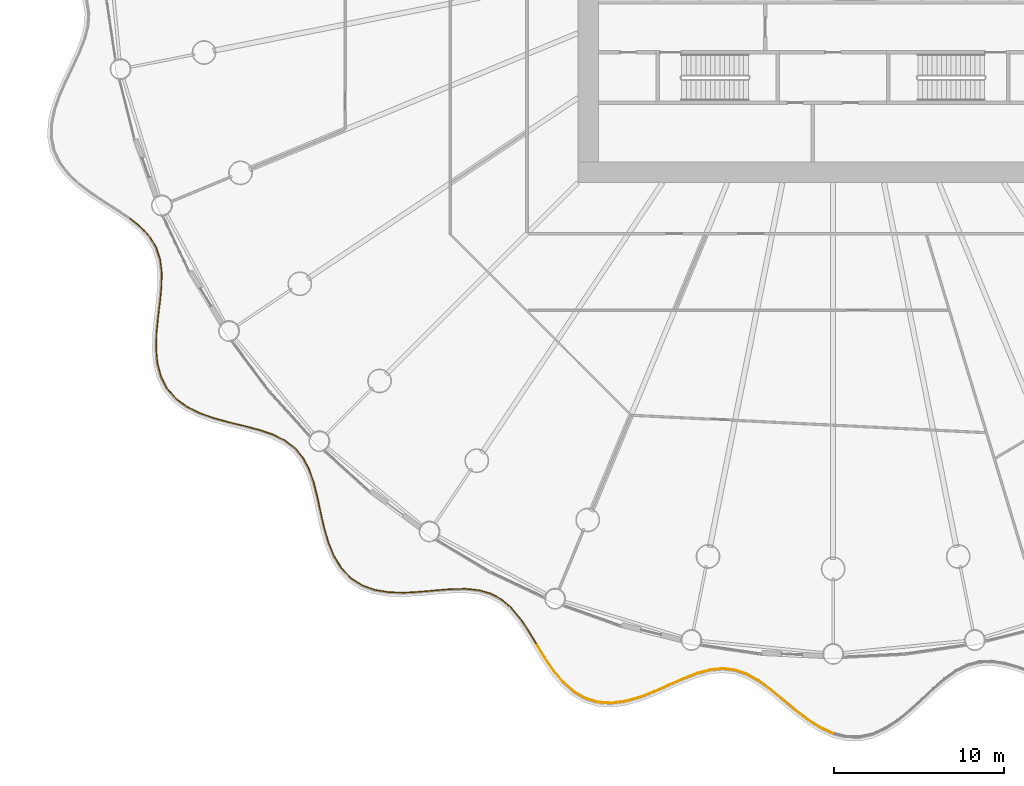
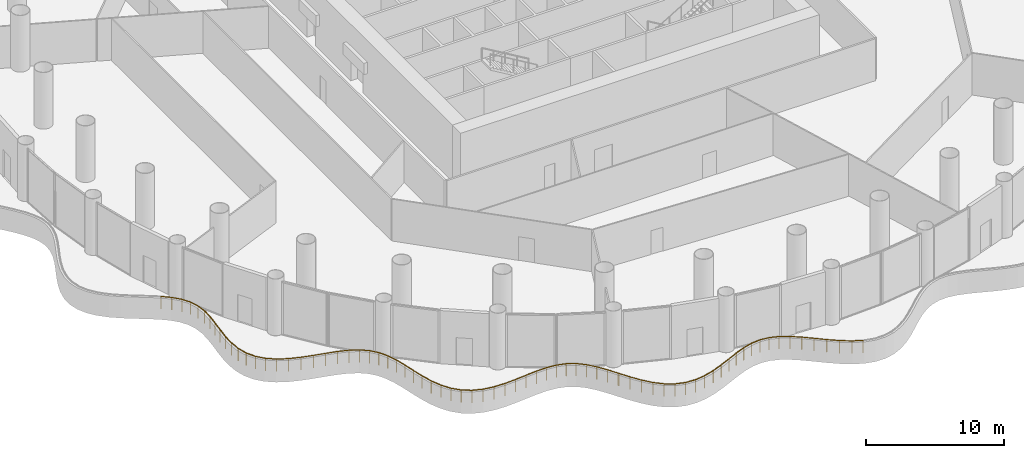
# One storey, part 28 of 35: 3 railings.
"""IFC4 building model written with IfcOpenShell, lengths in metres."""

from ifc_helpers import new_model, si_unit, direction, frame, origin, origin_2d, place, context, subcontext, project, spatial, circle, extrude, material, type_object, element, save


model = new_model("IFC4")

# Units and contexts
model_context = context("Model", 3, precision=1e-05, world=origin(), true_north=direction((0.0, 1.0)))
body_context = subcontext(model_context, "Body", "Model", "MODEL_VIEW")
ifc_project = project(units=[si_unit("LENGTHUNIT", "METRE"), si_unit("AREAUNIT", "SQUARE_METRE"), si_unit("VOLUMEUNIT", "CUBIC_METRE"), si_unit("PLANEANGLEUNIT", "RADIAN"), si_unit("MASSUNIT", "GRAM", prefix="KILO")], contexts=[model_context])

# Site, building, storey
site_placement = place(None, origin())
site = spatial("IfcSite", under=ifc_project, at=site_placement, CompositionType="ELEMENT")
building_placement = place(site_placement, origin())
building = spatial("IfcBuilding", under=site, at=building_placement, Name="Corvane Civic Tower", CompositionType="ELEMENT")
storey_placement = place(building_placement, frame((0.0, 0.0, 27.0)))
storey = spatial("IfcBuildingStorey", under=building, at=storey_placement, Name="L05", CompositionType="ELEMENT", Elevation=27.0)

# Railings
ifc_material = material(Name="Steel ASTM A572 Gr 50", Category="steel")
railing_type = type_object("IfcRailingType", Name="PODIUM-RL-GUARD-1100", PredefinedType="GUARDRAIL", material=ifc_material)
railing_1_placement = place(storey_placement, frame((-41.291259765625, -17.127197265625, 0.0)))
element("IfcRailing", 1, at=railing_1_placement, inside=storey, type_object=railing_type, Name="L05 ribbon guard 6", PredefinedType="GUARDRAIL", context=body_context, shape_type="SweptSolid", body=[
    extrude(circle(Radius=0.02392578125, at=origin_2d()), frame((0.0, 0.0, 1.076171875), z_axis=(0.774868960763, -0.632121897774, 0.0), x_axis=(0.632121897774, 0.774868960763, 0.0)), (0.0, 0.0, 1.0), 0.798828125),
    extrude(circle(Radius=0.02392578125, at=origin_2d()), frame((0.618896484375, -0.5048828125, 1.076171875), z_axis=(0.674550053428, -0.738229114449, 0.0), x_axis=(0.738229114449, 0.674550053428, 0.0)), (0.0, 0.0, 1.0), 0.762939453125),
    extrude(circle(Radius=0.02392578125, at=origin_2d()), frame((1.133544921875, -1.068115234375, 1.076171875), z_axis=(0.514594803967, -0.857433488809, 0.0), x_axis=(0.857433488809, 0.514594803967, 0.0)), (0.0, 0.0, 1.0), 0.724853515625),
    extrude(circle(Radius=0.02392578125, at=origin_2d()), frame((1.506591796875, -1.689697265625, 1.076171875), z_axis=(0.313001886117, -0.949752504228, 0.0), x_axis=(0.949752504228, 0.313001886117, 0.0)), (0.0, 0.0, 1.0), 0.72705078125),
    extrude(circle(Radius=0.02392578125, at=origin_2d()), frame((1.734130859375, -2.380126953125, 1.076171875), z_axis=(0.122901158581, -0.992418916194, 0.0), x_axis=(0.992418916194, 0.122901158581, 0.0)), (0.0, 0.0, 1.0), 0.768798828125),
    extrude(circle(Radius=0.02392578125, at=origin_2d()), frame((1.82861328125, -3.14306640625, 1.076171875), z_axis=(-0.016174354489, -0.999869186572, 0.0), x_axis=(0.999869186572, -0.016174354489, 0.0)), (0.0, 0.0, 1.0), 0.830078125),
    extrude(circle(Radius=0.02392578125, at=origin_2d()), frame((1.815185546875, -3.97314453125, 1.076171875), z_axis=(-0.095288563637, -0.995449692169, 0.0), x_axis=(0.995449692169, -0.095288563637, 0.0)), (0.0, 0.0, 1.0), 0.88916015625),
    extrude(circle(Radius=0.02392578125, at=origin_2d()), frame((1.73046875, -4.858154296875, 1.076171875), z_axis=(-0.120693375254, -0.992689835331, 0.0), x_axis=(0.992689835331, -0.120693375254, 0.0)), (0.0, 0.0, 1.0), 0.926513671875),
    extrude(circle(Radius=0.02392578125, at=origin_2d()), frame((1.61865234375, -5.77783203125, 1.076171875), z_axis=(-0.09883063936, -0.995104268267, 0.0), x_axis=(0.995104268267, -0.09883063936, 0.0)), (0.0, 0.0, 1.0), 0.933837890625),
    extrude(circle(Radius=0.02392578125, at=origin_2d()), frame((1.5263671875, -6.70703125, 1.076171875), z_axis=(-0.030029369603, -0.999549016788, 0.0), x_axis=(0.999549016788, -0.030029369603, 0.0)), (0.0, 0.0, 1.0), 0.91064453125),
    extrude(circle(Radius=0.02392578125, at=origin_2d()), frame((1.4990234375, -7.6171875, 1.076171875), z_axis=(0.087918482012, -0.996127672801, 0.0), x_axis=(0.996127672801, 0.087918482012, 0.0)), (0.0, 0.0, 1.0), 0.866455078125),
    extrude(circle(Radius=0.02392578125, at=origin_2d()), frame((1.5751953125, -8.480224609375, 1.076171875), z_axis=(0.25593360182, -0.966694363002, 0.0), x_axis=(0.966694363002, 0.25593360182, 0.0)), (0.0, 0.0, 1.0), 0.817626953125),
    extrude(circle(Radius=0.02392578125, at=origin_2d()), frame((1.784423828125, -9.2705078125, 1.076171875), z_axis=(0.457770141422, -0.889070580788, 0.0), x_axis=(0.889070580788, 0.457770141422, 0.0)), (0.0, 0.0, 1.0), 0.783935546875),
    extrude(circle(Radius=0.02392578125, at=origin_2d()), frame((2.143310546875, -9.967529296875, 1.076171875), z_axis=(0.65371739994, -0.756738766693, 0.0), x_axis=(0.756738766693, 0.65371739994, 0.0)), (0.0, 0.0, 1.0), 0.781982421875),
    extrude(circle(Radius=0.02392578125, at=origin_2d()), frame((2.654541015625, -10.559326171875, 1.076171875), z_axis=(0.803339019645, -0.59552197232, 0.0), x_axis=(0.59552197232, 0.803339019645, 0.0)), (0.0, 0.0, 1.0), 0.81298828125),
    extrude(circle(Radius=0.02392578125, at=origin_2d()), frame((3.3076171875, -11.04345703125, 1.076171875), z_axis=(0.895163202273, -0.445738534677, 0.0), x_axis=(0.445738534677, 0.895163202273, 0.0)), (0.0, 0.0, 1.0), 0.861083984375),
    extrude(circle(Radius=0.02392578125, at=origin_2d()), frame((4.078369140625, -11.42724609375, 1.076171875), z_axis=(0.943387294832, -0.331693249781, 0.0), x_axis=(0.331693249781, 0.943387294832, 0.0)), (0.0, 0.0, 1.0), 0.90673828125),
    extrude(circle(Radius=0.02392578125, at=origin_2d()), frame((4.933837890625, -11.72802734375, 1.076171875), z_axis=(0.965281385945, -0.261212262249, 0.0), x_axis=(0.261212262249, 0.965281385945, 0.0)), (0.0, 0.0, 1.0), 0.932861328125),
    extrude(circle(Radius=0.02392578125, at=origin_2d()), frame((5.834228515625, -11.9716796875, 1.076171875), z_axis=(0.97192484401, -0.235291516199, 0.0), x_axis=(0.235291516199, 0.97192484401, 0.0)), (0.0, 0.0, 1.0), 0.9287109375),
    extrude(circle(Radius=0.02392578125, at=origin_2d()), frame((6.73681640625, -12.190185546875, 1.076171875), z_axis=(0.966996669681, -0.254789012373, 0.0), x_axis=(0.254789012373, 0.966996669681, 0.0)), (0.0, 0.0, 1.0), 0.89404296875),
    extrude(circle(Radius=0.02392578125, at=origin_2d()), frame((7.601318359375, -12.41796875, 1.076171875), z_axis=(0.945666987633, -0.325136815051, 0.0), x_axis=(0.325136815051, 0.945666987633, 0.0)), (0.0, 0.0, 1.0), 0.837158203125),
    extrude(circle(Radius=0.02392578125, at=origin_2d()), frame((8.39306640625, -12.690185546875, 1.076171875), z_axis=(0.894364132119, -0.447339691039, 0.0), x_axis=(0.447339691039, 0.894364132119, 0.0)), (0.0, 0.0, 1.0), 0.7744140625),
    extrude(circle(Radius=0.02392578125, at=origin_2d()), frame((9.085693359375, -13.03662109375, 1.076171875), z_axis=(0.793654806349, -0.608368349241, 0.0), x_axis=(0.608368349241, 0.793654806349, 0.0)), (0.0, 0.0, 1.0), 0.72998046875),
    extrude(circle(Radius=0.02392578125, at=origin_2d()), frame((9.6650390625, -13.480712890625, 1.076171875), z_axis=(0.640562840792, -0.767905753981, 0.0), x_axis=(0.767905753981, 0.640562840792, 0.0)), (0.0, 0.0, 1.0), 0.69775390625),
    extrude(circle(Radius=0.02099609375, at=origin_2d()), origin(), (0.0, 0.0, 1.0), 1.052001953125),
    extrude(circle(Radius=0.02099609375, at=origin_2d()), frame((0.618896484375, -0.5048828125, 0.0)), (0.0, 0.0, 1.0), 1.052001953125),
    extrude(circle(Radius=0.02099609375, at=origin_2d()), frame((1.133544921875, -1.068115234375, 0.0)), (0.0, 0.0, 1.0), 1.052001953125),
    extrude(circle(Radius=0.02099609375, at=origin_2d()), frame((1.506591796875, -1.689697265625, 0.0)), (0.0, 0.0, 1.0), 1.052001953125),
    extrude(circle(Radius=0.02099609375, at=origin_2d()), frame((1.734130859375, -2.380126953125, 0.0)), (0.0, 0.0, 1.0), 1.052001953125),
    extrude(circle(Radius=0.02099609375, at=origin_2d()), frame((1.82861328125, -3.14306640625, 0.0)), (0.0, 0.0, 1.0), 1.052001953125),
    extrude(circle(Radius=0.02099609375, at=origin_2d()), frame((1.815185546875, -3.97314453125, 0.0)), (0.0, 0.0, 1.0), 1.052001953125),
    extrude(circle(Radius=0.02099609375, at=origin_2d()), frame((1.73046875, -4.858154296875, 0.0)), (0.0, 0.0, 1.0), 1.052001953125),
    extrude(circle(Radius=0.02099609375, at=origin_2d()), frame((1.61865234375, -5.77783203125, 0.0)), (0.0, 0.0, 1.0), 1.052001953125),
    extrude(circle(Radius=0.02099609375, at=origin_2d()), frame((1.5263671875, -6.70703125, 0.0)), (0.0, 0.0, 1.0), 1.052001953125),
    extrude(circle(Radius=0.02099609375, at=origin_2d()), frame((1.4990234375, -7.6171875, 0.0)), (0.0, 0.0, 1.0), 1.052001953125),
    extrude(circle(Radius=0.02099609375, at=origin_2d()), frame((1.5751953125, -8.480224609375, 0.0)), (0.0, 0.0, 1.0), 1.052001953125),
    extrude(circle(Radius=0.02099609375, at=origin_2d()), frame((1.784423828125, -9.2705078125, 0.0)), (0.0, 0.0, 1.0), 1.052001953125),
    extrude(circle(Radius=0.02099609375, at=origin_2d()), frame((2.143310546875, -9.967529296875, 0.0)), (0.0, 0.0, 1.0), 1.052001953125),
    extrude(circle(Radius=0.02099609375, at=origin_2d()), frame((2.654541015625, -10.559326171875, 0.0)), (0.0, 0.0, 1.0), 1.052001953125),
    extrude(circle(Radius=0.02099609375, at=origin_2d()), frame((3.3076171875, -11.04345703125, 0.0)), (0.0, 0.0, 1.0), 1.052001953125),
    extrude(circle(Radius=0.02099609375, at=origin_2d()), frame((4.078369140625, -11.42724609375, 0.0)), (0.0, 0.0, 1.0), 1.052001953125),
    extrude(circle(Radius=0.02099609375, at=origin_2d()), frame((4.933837890625, -11.72802734375, 0.0)), (0.0, 0.0, 1.0), 1.052001953125),
    extrude(circle(Radius=0.02099609375, at=origin_2d()), frame((5.834228515625, -11.9716796875, 0.0)), (0.0, 0.0, 1.0), 1.052001953125),
    extrude(circle(Radius=0.02099609375, at=origin_2d()), frame((6.73681640625, -12.190185546875, 0.0)), (0.0, 0.0, 1.0), 1.052001953125),
    extrude(circle(Radius=0.02099609375, at=origin_2d()), frame((7.601318359375, -12.41796875, 0.0)), (0.0, 0.0, 1.0), 1.052001953125),
    extrude(circle(Radius=0.02099609375, at=origin_2d()), frame((8.39306640625, -12.690185546875, 0.0)), (0.0, 0.0, 1.0), 1.052001953125),
    extrude(circle(Radius=0.02099609375, at=origin_2d()), frame((9.085693359375, -13.03662109375, 0.0)), (0.0, 0.0, 1.0), 1.052001953125),
    extrude(circle(Radius=0.02099609375, at=origin_2d()), frame((9.6650390625, -13.480712890625, 0.0)), (0.0, 0.0, 1.0), 1.052001953125),
    extrude(circle(Radius=0.02099609375, at=origin_2d()), frame((10.112060546875, -14.0166015625, 0.0)), (0.0, 0.0, 1.0), 1.052001953125),
])
railing_2_placement = place(storey_placement, frame((-31.1513671875, -31.18505859375, 0.0)))
element("IfcRailing", 2, at=railing_2_placement, inside=storey, type_object=railing_type, Name="L05 ribbon guard 7", PredefinedType="GUARDRAIL", context=body_context, shape_type="SweptSolid", body=[
    extrude(circle(Radius=0.02392578125, at=origin_2d()), frame((0.0, 0.0, 1.076171875), z_axis=(0.471314690588, -0.88196511407, 0.0), x_axis=(0.88196511407, 0.471314690588, 0.0)), (0.0, 0.0, 1.0), 0.732421875),
    extrude(circle(Radius=0.02392578125, at=origin_2d()), frame((0.34521484375, -0.64599609375, 1.076171875), z_axis=(0.332319844026, -0.94316675157, 0.0), x_axis=(0.94316675157, 0.332319844026, 0.0)), (0.0, 0.0, 1.0), 0.81689453125),
    extrude(circle(Radius=0.02392578125, at=origin_2d()), frame((0.61669921875, -1.41650390625, 1.076171875), z_axis=(0.244694089906, -0.969600331253, 0.0), x_axis=(0.969600331253, 0.244694089906, 0.0)), (0.0, 0.0, 1.0), 0.8779296875),
    extrude(circle(Radius=0.02392578125, at=origin_2d()), frame((0.83154296875, -2.267822265625, 1.076171875), z_axis=(0.20945666103, -0.977817931493, 0.0), x_axis=(0.977817931493, 0.20945666103, 0.0)), (0.0, 0.0, 1.0), 0.9208984375),
    extrude(circle(Radius=0.02392578125, at=origin_2d()), frame((1.0244140625, -3.168212890625, 1.076171875), z_axis=(0.221463071094, -0.975168758801, 0.0), x_axis=(0.975168758801, 0.221463071094, 0.0)), (0.0, 0.0, 1.0), 0.934814453125),
    extrude(circle(Radius=0.02392578125, at=origin_2d()), frame((1.2314453125, -4.079833984375, 1.076171875), z_axis=(0.278232456959, -0.960513768717, 0.0), x_axis=(0.960513768717, 0.278232456959, 0.0)), (0.0, 0.0, 1.0), 0.917724609375),
    extrude(circle(Radius=0.02392578125, at=origin_2d()), frame((1.48681640625, -4.96142578125, 1.076171875), z_axis=(0.379825245493, -0.925058259185, 0.0), x_axis=(0.925058259185, 0.379825245493, 0.0)), (0.0, 0.0, 1.0), 0.876708984375),
    extrude(circle(Radius=0.02392578125, at=origin_2d()), frame((1.81982421875, -5.7724609375, 1.076171875), z_axis=(0.522202059576, -0.852821792038, 0.0), x_axis=(0.852821792038, 0.522202059576, 0.0)), (0.0, 0.0, 1.0), 0.8271484375),
    extrude(circle(Radius=0.02392578125, at=origin_2d()), frame((2.251708984375, -6.477783203125, 1.076171875), z_axis=(0.687177777686, -0.726489299202, 0.0), x_axis=(0.726489299202, 0.687177777686, 0.0)), (0.0, 0.0, 1.0), 0.788818359375),
    extrude(circle(Radius=0.02392578125, at=origin_2d()), frame((2.793701171875, -7.05078125, 1.076171875), z_axis=(0.837928150466, -0.545780555404, 0.0), x_axis=(0.545780555404, 0.837928150466, 0.0)), (0.0, 0.0, 1.0), 0.77978515625),
    extrude(circle(Radius=0.02392578125, at=origin_2d()), frame((3.447021484375, -7.476318359375, 1.076171875), z_axis=(0.939180191042, -0.343424764329, 0.0), x_axis=(0.343424764329, 0.939180191042, 0.0)), (0.0, 0.0, 1.0), 0.803955078125),
    extrude(circle(Radius=0.02392578125, at=origin_2d()), frame((4.2021484375, -7.75244140625, 1.076171875), z_axis=(0.986571775873, -0.163328292253, 0.0), x_axis=(0.163328292253, 0.986571775873, 0.0)), (0.0, 0.0, 1.0), 0.8505859375),
    extrude(circle(Radius=0.02392578125, at=origin_2d()), frame((5.041259765625, -7.891357421875, 1.076171875), z_axis=(0.999577328884, -0.029071697252, 0.0), x_axis=(0.029071697252, 0.999577328884, 0.0)), (0.0, 0.0, 1.0), 0.898681640625),
    extrude(circle(Radius=0.02392578125, at=origin_2d()), frame((5.939453125, -7.91748046875, 1.076171875), z_axis=(0.998506081569, 0.054640690599, 0.0), x_axis=(-0.054640690599, 0.998506081569, 0.0)), (0.0, 0.0, 1.0), 0.929443359375),
    extrude(circle(Radius=0.02392578125, at=origin_2d()), frame((6.867431640625, -7.86669921875, 1.076171875), z_axis=(0.995813388911, 0.09140948783, 0.0), x_axis=(-0.09140948783, 0.995813388911, 0.0)), (0.0, 0.0, 1.0), 0.93212890625),
    extrude(circle(Radius=0.02392578125, at=origin_2d()), frame((7.795654296875, -7.781494140625, 1.076171875), z_axis=(0.996709608451, 0.081055267697, 0.0), x_axis=(-0.081055267697, 0.996709608451, 0.0)), (0.0, 0.0, 1.0), 0.903564453125),
    extrude(circle(Radius=0.02392578125, at=origin_2d()), frame((8.6962890625, -7.708251953125, 1.076171875), z_axis=(0.999797988108, 0.020099327733, 0.0), x_axis=(-0.020099327733, 0.999797988108, 0.0)), (0.0, 0.0, 1.0), 0.850341796875),
    extrude(circle(Radius=0.02392578125, at=origin_2d()), frame((9.54638671875, -7.691162109375, 1.076171875), z_axis=(0.99500027102, -0.099872221717, 0.0), x_axis=(0.099872221717, 0.99500027102, 0.0)), (0.0, 0.0, 1.0), 0.787109375),
    extrude(circle(Radius=0.02392578125, at=origin_2d()), frame((10.32958984375, -7.769775390625, 1.076171875), z_axis=(0.961135284274, -0.276077824759, 0.0), x_axis=(0.276077824759, 0.961135284274, 0.0)), (0.0, 0.0, 1.0), 0.736572265625),
    extrude(circle(Radius=0.02392578125, at=origin_2d()), frame((11.03759765625, -7.97314453125, 1.076171875), z_axis=(0.878593615519, -0.477570161096, 0.0), x_axis=(0.477570161096, 0.878593615519, 0.0)), (0.0, 0.0, 1.0), 0.720703125),
    extrude(circle(Radius=0.02392578125, at=origin_2d()), frame((11.6708984375, -8.3173828125, 1.076171875), z_axis=(0.758495167123, -0.651678664259, 0.0), x_axis=(0.651678664259, 0.758495167123, 0.0)), (0.0, 0.0, 1.0), 0.747314453125),
    extrude(circle(Radius=0.02392578125, at=origin_2d()), frame((12.23779296875, -8.804443359375, 1.076171875), z_axis=(0.641408912395, -0.767199196493, 0.0), x_axis=(0.767199196493, 0.641408912395, 0.0)), (0.0, 0.0, 1.0), 0.803466796875),
    extrude(circle(Radius=0.02392578125, at=origin_2d()), frame((12.753173828125, -9.4208984375, 1.076171875), z_axis=(0.558339046952, -0.829612866733, 0.0), x_axis=(0.829612866733, 0.558339046952, 0.0)), (0.0, 0.0, 1.0), 0.86572265625),
    extrude(circle(Radius=0.02392578125, at=origin_2d()), frame((13.236572265625, -10.13916015625, 1.076171875), z_axis=(0.518326053625, -0.855183081061, 0.0), x_axis=(0.855183081061, 0.518326053625, 0.0)), (0.0, 0.0, 1.0), 0.88916015625),
    extrude(circle(Radius=0.02099609375, at=origin_2d()), origin(), (0.0, 0.0, 1.0), 1.052001953125),
    extrude(circle(Radius=0.02099609375, at=origin_2d()), frame((0.34521484375, -0.64599609375, 0.0)), (0.0, 0.0, 1.0), 1.052001953125),
    extrude(circle(Radius=0.02099609375, at=origin_2d()), frame((0.61669921875, -1.41650390625, 0.0)), (0.0, 0.0, 1.0), 1.052001953125),
    extrude(circle(Radius=0.02099609375, at=origin_2d()), frame((0.83154296875, -2.267822265625, 0.0)), (0.0, 0.0, 1.0), 1.052001953125),
    extrude(circle(Radius=0.02099609375, at=origin_2d()), frame((1.0244140625, -3.168212890625, 0.0)), (0.0, 0.0, 1.0), 1.052001953125),
    extrude(circle(Radius=0.02099609375, at=origin_2d()), frame((1.2314453125, -4.079833984375, 0.0)), (0.0, 0.0, 1.0), 1.052001953125),
    extrude(circle(Radius=0.02099609375, at=origin_2d()), frame((1.48681640625, -4.96142578125, 0.0)), (0.0, 0.0, 1.0), 1.052001953125),
    extrude(circle(Radius=0.02099609375, at=origin_2d()), frame((1.81982421875, -5.7724609375, 0.0)), (0.0, 0.0, 1.0), 1.052001953125),
    extrude(circle(Radius=0.02099609375, at=origin_2d()), frame((2.251708984375, -6.477783203125, 0.0)), (0.0, 0.0, 1.0), 1.052001953125),
    extrude(circle(Radius=0.02099609375, at=origin_2d()), frame((2.793701171875, -7.05078125, 0.0)), (0.0, 0.0, 1.0), 1.052001953125),
    extrude(circle(Radius=0.02099609375, at=origin_2d()), frame((3.447021484375, -7.476318359375, 0.0)), (0.0, 0.0, 1.0), 1.052001953125),
    extrude(circle(Radius=0.02099609375, at=origin_2d()), frame((4.2021484375, -7.75244140625, 0.0)), (0.0, 0.0, 1.0), 1.052001953125),
    extrude(circle(Radius=0.02099609375, at=origin_2d()), frame((5.041259765625, -7.891357421875, 0.0)), (0.0, 0.0, 1.0), 1.052001953125),
    extrude(circle(Radius=0.02099609375, at=origin_2d()), frame((5.939453125, -7.91748046875, 0.0)), (0.0, 0.0, 1.0), 1.052001953125),
    extrude(circle(Radius=0.02099609375, at=origin_2d()), frame((6.867431640625, -7.86669921875, 0.0)), (0.0, 0.0, 1.0), 1.052001953125),
    extrude(circle(Radius=0.02099609375, at=origin_2d()), frame((7.795654296875, -7.781494140625, 0.0)), (0.0, 0.0, 1.0), 1.052001953125),
    extrude(circle(Radius=0.02099609375, at=origin_2d()), frame((8.6962890625, -7.708251953125, 0.0)), (0.0, 0.0, 1.0), 1.052001953125),
    extrude(circle(Radius=0.02099609375, at=origin_2d()), frame((9.54638671875, -7.691162109375, 0.0)), (0.0, 0.0, 1.0), 1.052001953125),
    extrude(circle(Radius=0.02099609375, at=origin_2d()), frame((10.32958984375, -7.769775390625, 0.0)), (0.0, 0.0, 1.0), 1.052001953125),
    extrude(circle(Radius=0.02099609375, at=origin_2d()), frame((11.03759765625, -7.97314453125, 0.0)), (0.0, 0.0, 1.0), 1.052001953125),
    extrude(circle(Radius=0.02099609375, at=origin_2d()), frame((11.6708984375, -8.3173828125, 0.0)), (0.0, 0.0, 1.0), 1.052001953125),
    extrude(circle(Radius=0.02099609375, at=origin_2d()), frame((12.23779296875, -8.804443359375, 0.0)), (0.0, 0.0, 1.0), 1.052001953125),
    extrude(circle(Radius=0.02099609375, at=origin_2d()), frame((12.753173828125, -9.4208984375, 0.0)), (0.0, 0.0, 1.0), 1.052001953125),
    extrude(circle(Radius=0.02099609375, at=origin_2d()), frame((13.236572265625, -10.13916015625, 0.0)), (0.0, 0.0, 1.0), 1.052001953125),
    extrude(circle(Radius=0.02099609375, at=origin_2d()), frame((13.697509765625, -10.899658203125, 0.0)), (0.0, 0.0, 1.0), 1.052001953125),
])
railing_3_placement = place(storey_placement, frame((-17.427978515625, -42.127197265625, 0.0)))
element("IfcRailing", 3, at=railing_3_placement, inside=storey, type_object=railing_type, Name="L05 ribbon guard 8", PredefinedType="GUARDRAIL", context=body_context, shape_type="SweptSolid", body=[
    extrude(circle(Radius=0.02392578125, at=origin_2d()), frame((0.0, 0.0, 1.076171875), z_axis=(0.520679001191, -0.853752527211, 0.0), x_axis=(0.853752527211, 0.520679001191, 0.0)), (0.0, 0.0, 1.0), 0.90966796875),
    extrude(circle(Radius=0.02392578125, at=origin_2d()), frame((0.4736328125, -0.776611328125, 1.076171875), z_axis=(0.561695319823, -0.827344165199, 0.0), x_axis=(0.827344165199, 0.561695319823, 0.0)), (0.0, 0.0, 1.0), 0.923583984375),
    extrude(circle(Radius=0.02392578125, at=origin_2d()), frame((0.992431640625, -1.540771484375, 1.076171875), z_axis=(0.639290308686, -0.76896547466, 0.0), x_axis=(0.76896547466, 0.639290308686, 0.0)), (0.0, 0.0, 1.0), 0.88671875),
    extrude(circle(Radius=0.02392578125, at=origin_2d()), frame((1.559326171875, -2.22265625, 1.076171875), z_axis=(0.74592731357, -0.66602735895, 0.0), x_axis=(0.66602735895, 0.74592731357, 0.0)), (0.0, 0.0, 1.0), 0.837158203125),
    extrude(circle(Radius=0.02392578125, at=origin_2d()), frame((2.183837890625, -2.7802734375, 1.076171875), z_axis=(0.862998140135, -0.505207096271, 0.0), x_axis=(0.505207096271, 0.862998140135, 0.0)), (0.0, 0.0, 1.0), 0.794921875),
    extrude(circle(Radius=0.02392578125, at=origin_2d()), frame((2.869873046875, -3.181884765625, 1.076171875), z_axis=(0.956259035842, -0.292521206702, 0.0), x_axis=(0.292521206702, 0.956259035842, 0.0)), (0.0, 0.0, 1.0), 0.77880859375),
    extrude(circle(Radius=0.02392578125, at=origin_2d()), frame((3.614501953125, -3.40966796875, 1.076171875), z_axis=(0.99788702308, -0.064972987989, 0.0), x_axis=(0.064972987989, 0.99788702308, 0.0)), (0.0, 0.0, 1.0), 0.796630859375),
    extrude(circle(Radius=0.02392578125, at=origin_2d()), frame((4.409423828125, -3.46142578125, 1.076171875), z_axis=(0.991366996164, 0.131116280138, 0.0), x_axis=(-0.131116280138, 0.991366996164, 0.0)), (0.0, 0.0, 1.0), 0.83984375),
    extrude(circle(Radius=0.02392578125, at=origin_2d()), frame((5.241943359375, -3.351318359375, 1.076171875), z_axis=(0.961730877869, 0.273995836744, 0.0), x_axis=(-0.273995836744, 0.961730877869, 0.0)), (0.0, 0.0, 1.0), 0.88916015625),
    extrude(circle(Radius=0.02392578125, at=origin_2d()), frame((6.09716796875, -3.107666015625, 1.076171875), z_axis=(0.931717084753, 0.363184903292, 0.0), x_axis=(-0.363184903292, 0.931717084753, 0.0)), (0.0, 0.0, 1.0), 0.925048828125),
    extrude(circle(Radius=0.02392578125, at=origin_2d()), frame((6.958984375, -2.771728515625, 1.076171875), z_axis=(0.913736108534, 0.406308163789, 0.0), x_axis=(-0.406308163789, 0.913736108534, 0.0)), (0.0, 0.0, 1.0), 0.934326171875),
    extrude(circle(Radius=0.02392578125, at=origin_2d()), frame((7.812744140625, -2.39208984375, 1.076171875), z_axis=(0.913844660096, 0.406063957049, 0.0), x_axis=(-0.406063957049, 0.913844660096, 0.0)), (0.0, 0.0, 1.0), 0.912109375),
    extrude(circle(Radius=0.02392578125, at=origin_2d()), frame((8.646240234375, -2.021728515625, 1.076171875), z_axis=(0.933009799905, 0.359850959818, 0.0), x_axis=(-0.359850959818, 0.933009799905, 0.0)), (0.0, 0.0, 1.0), 0.863037109375),
    extrude(circle(Radius=0.02392578125, at=origin_2d()), frame((9.451416015625, -1.711181640625, 1.076171875), z_axis=(0.96610313067, 0.25815642721, 0.0), x_axis=(-0.25815642721, 0.96610313067, 0.0)), (0.0, 0.0, 1.0), 0.800048828125),
    extrude(circle(Radius=0.02392578125, at=origin_2d()), frame((10.224365234375, -1.504638671875, 1.076171875), z_axis=(0.995658937757, 0.093076740725, 0.0), x_axis=(-0.093076740725, 0.995658937757, 0.0)), (0.0, 0.0, 1.0), 0.744873046875),
    extrude(circle(Radius=0.02392578125, at=origin_2d()), frame((10.966064453125, -1.435302734375, 1.076171875), z_axis=(0.992820610222, -0.119612858501, 0.0), x_axis=(0.119612858501, 0.992820610222, 0.0)), (0.0, 0.0, 1.0), 0.720458984375),
    extrude(circle(Radius=0.02392578125, at=origin_2d()), frame((11.681396484375, -1.521484375, 1.076171875), z_axis=(0.94357461907, -0.331159988899, 0.0), x_axis=(0.331159988899, 0.94357461907, 0.0)), (0.0, 0.0, 1.0), 0.73876953125),
    extrude(circle(Radius=0.02392578125, at=origin_2d()), frame((12.37841796875, -1.76611328125, 1.076171875), z_axis=(0.870741119423, -0.491741703484, 0.0), x_axis=(0.491741703484, 0.870741119423, 0.0)), (0.0, 0.0, 1.0), 0.790283203125),
    extrude(circle(Radius=0.02392578125, at=origin_2d()), frame((13.066650390625, -2.15478515625, 1.076171875), z_axis=(0.807522128628, -0.589837275675, 0.0), x_axis=(0.589837275675, 0.807522128628, 0.0)), (0.0, 0.0, 1.0), 0.853515625),
    extrude(circle(Radius=0.02392578125, at=origin_2d()), frame((13.755859375, -2.658203125, 1.076171875), z_axis=(0.771634514187, -0.636066173064, 0.0), x_axis=(0.636066173064, 0.771634514187, 0.0)), (0.0, 0.0, 1.0), 0.90576171875),
    extrude(circle(Radius=0.02392578125, at=origin_2d()), frame((14.454833984375, -3.234375, 1.076171875), z_axis=(0.766889482405, -0.641779184593, 0.0), x_axis=(0.641779184593, 0.766889482405, 0.0)), (0.0, 0.0, 1.0), 0.932861328125),
    extrude(circle(Radius=0.02392578125, at=origin_2d()), frame((15.170166015625, -3.8330078125, 1.076171875), z_axis=(0.791302351532, -0.611425047295, 0.0), x_axis=(0.611425047295, 0.791302351532, 0.0)), (0.0, 0.0, 1.0), 0.928466796875),
    extrude(circle(Radius=0.02392578125, at=origin_2d()), frame((15.90478515625, -4.400634765625, 1.076171875), z_axis=(0.841196176534, -0.540730055188, 0.0), x_axis=(0.540730055188, 0.841196176534, 0.0)), (0.0, 0.0, 1.0), 0.896240234375),
    extrude(circle(Radius=0.02392578125, at=origin_2d()), frame((16.65869140625, -4.88525390625, 1.076171875), z_axis=(0.907324409664, -0.420431225799, 0.0), x_axis=(0.420431225799, 0.907324409664, 0.0)), (0.0, 0.0, 1.0), 0.82275390625),
    extrude(circle(Radius=0.02099609375, at=origin_2d()), origin(), (0.0, 0.0, 1.0), 1.052001953125),
    extrude(circle(Radius=0.02099609375, at=origin_2d()), frame((0.4736328125, -0.776611328125, 0.0)), (0.0, 0.0, 1.0), 1.052001953125),
    extrude(circle(Radius=0.02099609375, at=origin_2d()), frame((0.992431640625, -1.540771484375, 0.0)), (0.0, 0.0, 1.0), 1.052001953125),
    extrude(circle(Radius=0.02099609375, at=origin_2d()), frame((1.559326171875, -2.22265625, 0.0)), (0.0, 0.0, 1.0), 1.052001953125),
    extrude(circle(Radius=0.02099609375, at=origin_2d()), frame((2.183837890625, -2.7802734375, 0.0)), (0.0, 0.0, 1.0), 1.052001953125),
    extrude(circle(Radius=0.02099609375, at=origin_2d()), frame((2.869873046875, -3.181884765625, 0.0)), (0.0, 0.0, 1.0), 1.052001953125),
    extrude(circle(Radius=0.02099609375, at=origin_2d()), frame((3.614501953125, -3.40966796875, 0.0)), (0.0, 0.0, 1.0), 1.052001953125),
    extrude(circle(Radius=0.02099609375, at=origin_2d()), frame((4.409423828125, -3.46142578125, 0.0)), (0.0, 0.0, 1.0), 1.052001953125),
    extrude(circle(Radius=0.02099609375, at=origin_2d()), frame((5.241943359375, -3.351318359375, 0.0)), (0.0, 0.0, 1.0), 1.052001953125),
    extrude(circle(Radius=0.02099609375, at=origin_2d()), frame((6.09716796875, -3.107666015625, 0.0)), (0.0, 0.0, 1.0), 1.052001953125),
    extrude(circle(Radius=0.02099609375, at=origin_2d()), frame((6.958984375, -2.771728515625, 0.0)), (0.0, 0.0, 1.0), 1.052001953125),
    extrude(circle(Radius=0.02099609375, at=origin_2d()), frame((7.812744140625, -2.39208984375, 0.0)), (0.0, 0.0, 1.0), 1.052001953125),
    extrude(circle(Radius=0.02099609375, at=origin_2d()), frame((8.646240234375, -2.021728515625, 0.0)), (0.0, 0.0, 1.0), 1.052001953125),
    extrude(circle(Radius=0.02099609375, at=origin_2d()), frame((9.451416015625, -1.711181640625, 0.0)), (0.0, 0.0, 1.0), 1.052001953125),
    extrude(circle(Radius=0.02099609375, at=origin_2d()), frame((10.224365234375, -1.504638671875, 0.0)), (0.0, 0.0, 1.0), 1.052001953125),
    extrude(circle(Radius=0.02099609375, at=origin_2d()), frame((10.966064453125, -1.435302734375, 0.0)), (0.0, 0.0, 1.0), 1.052001953125),
    extrude(circle(Radius=0.02099609375, at=origin_2d()), frame((11.681396484375, -1.521484375, 0.0)), (0.0, 0.0, 1.0), 1.052001953125),
    extrude(circle(Radius=0.02099609375, at=origin_2d()), frame((12.37841796875, -1.76611328125, 0.0)), (0.0, 0.0, 1.0), 1.052001953125),
    extrude(circle(Radius=0.02099609375, at=origin_2d()), frame((13.066650390625, -2.15478515625, 0.0)), (0.0, 0.0, 1.0), 1.052001953125),
    extrude(circle(Radius=0.02099609375, at=origin_2d()), frame((13.755859375, -2.658203125, 0.0)), (0.0, 0.0, 1.0), 1.052001953125),
    extrude(circle(Radius=0.02099609375, at=origin_2d()), frame((14.454833984375, -3.234375, 0.0)), (0.0, 0.0, 1.0), 1.052001953125),
    extrude(circle(Radius=0.02099609375, at=origin_2d()), frame((15.170166015625, -3.8330078125, 0.0)), (0.0, 0.0, 1.0), 1.052001953125),
    extrude(circle(Radius=0.02099609375, at=origin_2d()), frame((15.90478515625, -4.400634765625, 0.0)), (0.0, 0.0, 1.0), 1.052001953125),
    extrude(circle(Radius=0.02099609375, at=origin_2d()), frame((16.65869140625, -4.88525390625, 0.0)), (0.0, 0.0, 1.0), 1.052001953125),
    extrude(circle(Radius=0.02099609375, at=origin_2d()), frame((17.4052734375, -5.231201171875, 0.0)), (0.0, 0.0, 1.0), 1.052001953125),
])

save(model, "model.ifc")
